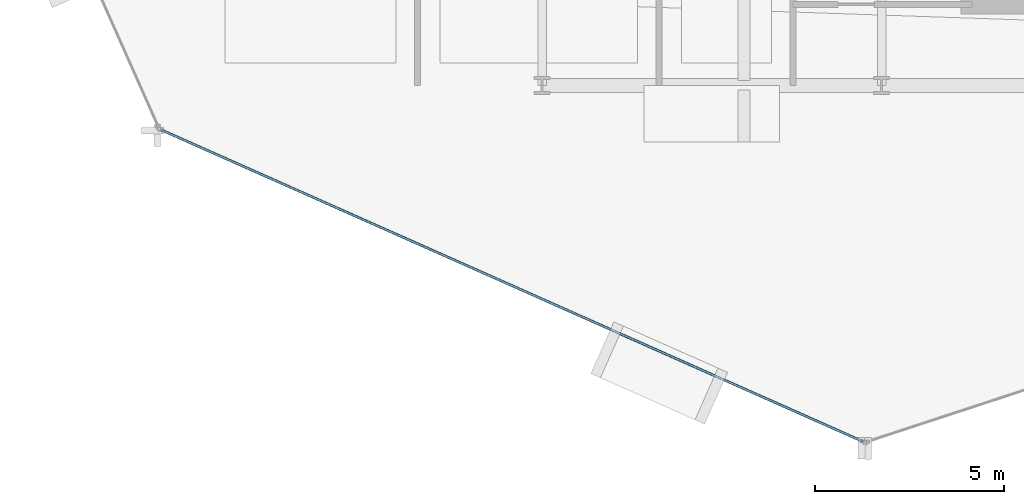
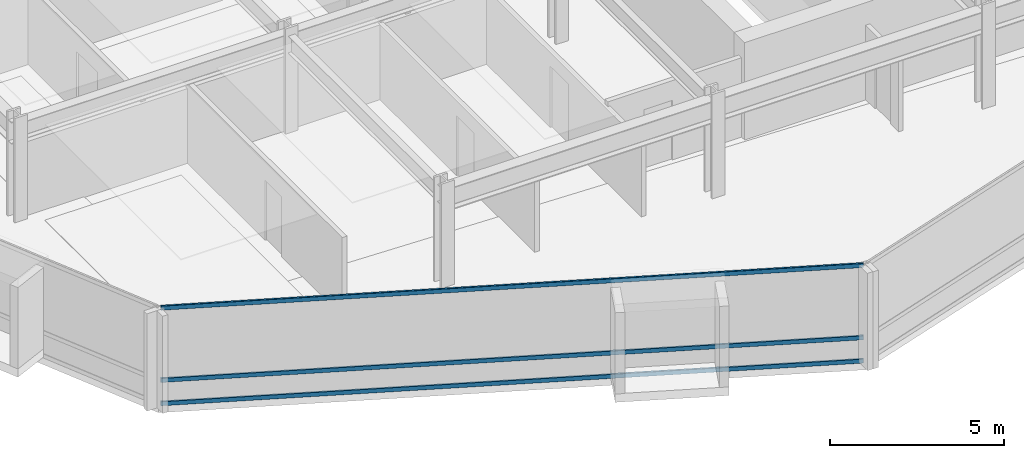
# One storey, part 3 of 34: 3 members, 1 element without a shape of its own.
"""IFC4 building model written with IfcOpenShell, lengths in metres."""

from ifc_helpers import new_model, si_unit, direction, frame, origin, origin_2d, place, context, subcontext, project, spatial, hollow_rectangle, extrude, material, layer, layer_set, material_profile, profile_set, type_object, element, aggregate, save


model = new_model("IFC4")

# Units and contexts
model_context = context("Model", 3, precision=1e-05, world=origin(), true_north=direction((0.0, 1.0)))
body_context = subcontext(model_context, "Body", "Model", "MODEL_VIEW")
ifc_project = project(units=[si_unit("LENGTHUNIT", "METRE"), si_unit("AREAUNIT", "SQUARE_METRE"), si_unit("VOLUMEUNIT", "CUBIC_METRE"), si_unit("PLANEANGLEUNIT", "RADIAN"), si_unit("MASSUNIT", "GRAM", prefix="KILO")], contexts=[model_context])

# Site, building, storey
site_placement = place(None, origin())
site = spatial("IfcSite", under=ifc_project, at=site_placement, CompositionType="ELEMENT")
building_placement = place(site_placement, origin())
building = spatial("IfcBuilding", under=site, at=building_placement, Name="Solvaryn Broadcast Tower", CompositionType="ELEMENT")
storey_placement = place(building_placement, frame((0.0, 0.0, 69.300048828125)))
storey = spatial("IfcBuildingStorey", under=building, at=storey_placement, Name="L16", CompositionType="ELEMENT", Elevation=69.300048828125)

# Curtain wall, members
ifc_material_1 = material(Name="Aluminium and Terracotta Unitised Curtain Wall", Category="masonry")
ifc_layer = layer(ifc_material_1, 0.199951171875)
ifc_layer_set = layer_set([ifc_layer], Name="CW-SYS2-LOWMID")
curtain_wall_type = type_object("IfcCurtainWallType", Name="CW-SYS2-LOWMID", PredefinedType="NOTDEFINED", material=ifc_layer_set)
curtain_wall_placement = place(storey_placement, origin())
curtain_wall = element("IfcCurtainWall", 1, at=curtain_wall_placement, inside=storey, type_object=curtain_wall_type, Name="L16 Curtain Wall DR3", PredefinedType="NOTDEFINED")
ifc_material_2 = material(Name="Anodised Aluminium 6063-T6", Category="aluminium")
ifc_material_profile = material_profile(ifc_material_2, hollow_rectangle(XDim=0.06494140625, YDim=0.14990234375, WallThickness=0.00390625, InnerFilletRadius=0.00390625, OuterFilletRadius=0.008056640625, at=origin_2d()))
ifc_profile_set = profile_set([ifc_material_profile], Name="Anodised Aluminium 6063-T6")
member_type = type_object("IfcMemberType", Name="CW-TRN-150", PredefinedType="USERDEFINED", material=ifc_profile_set)
member_1_placement = place(storey_placement, frame((7.90185546875, 7.82275390625, 0.030029296875), z_axis=(0.913914888191, -0.405905872269, 0.0), x_axis=(0.405905872269, 0.913914888191, 0.0)))
member_1 = element("IfcMember", 2, at=member_1_placement, type_object=member_type, Name="CWS2 transom 1.1", ObjectType="TRANSOM", PredefinedType="USERDEFINED", context=body_context, shape_type="SweptSolid", body=[
    extrude(hollow_rectangle(XDim=0.06494140625, YDim=0.14990234375, WallThickness=0.00390625, InnerFilletRadius=0.00390625, OuterFilletRadius=0.008056640625, at=origin_2d()), origin(), (0.0, 0.0, 1.0), 20.35546875),
])
member_2_placement = place(storey_placement, frame((7.90185546875, 7.82275390625, 0.849853515625), z_axis=(0.913914888191, -0.405905872269, 0.0), x_axis=(0.405905872269, 0.913914888191, 0.0)))
member_2 = element("IfcMember", 3, at=member_2_placement, type_object=member_type, Name="CWS2 transom 1.2", ObjectType="TRANSOM", PredefinedType="USERDEFINED", context=body_context, shape_type="SweptSolid", body=[
    extrude(hollow_rectangle(XDim=0.06494140625, YDim=0.14990234375, WallThickness=0.00390625, InnerFilletRadius=0.00390625, OuterFilletRadius=0.008056640625, at=origin_2d()), origin(), (0.0, 0.0, 1.0), 20.35546875),
])
member_3_placement = place(storey_placement, frame((7.90185546875, 7.82275390625, 3.389892578125), z_axis=(0.913914888191, -0.405905872269, 0.0), x_axis=(0.405905872269, 0.913914888191, 0.0)))
member_3 = element("IfcMember", 4, at=member_3_placement, type_object=member_type, Name="CWS2 transom 1.3", ObjectType="TRANSOM", PredefinedType="USERDEFINED", context=body_context, shape_type="SweptSolid", body=[
    extrude(hollow_rectangle(XDim=0.06494140625, YDim=0.14990234375, WallThickness=0.00390625, InnerFilletRadius=0.00390625, OuterFilletRadius=0.008056640625, at=origin_2d()), origin(), (0.0, 0.0, 1.0), 20.35546875),
])
aggregate(curtain_wall, [member_1, member_2, member_3])

save(model, "model.ifc")
